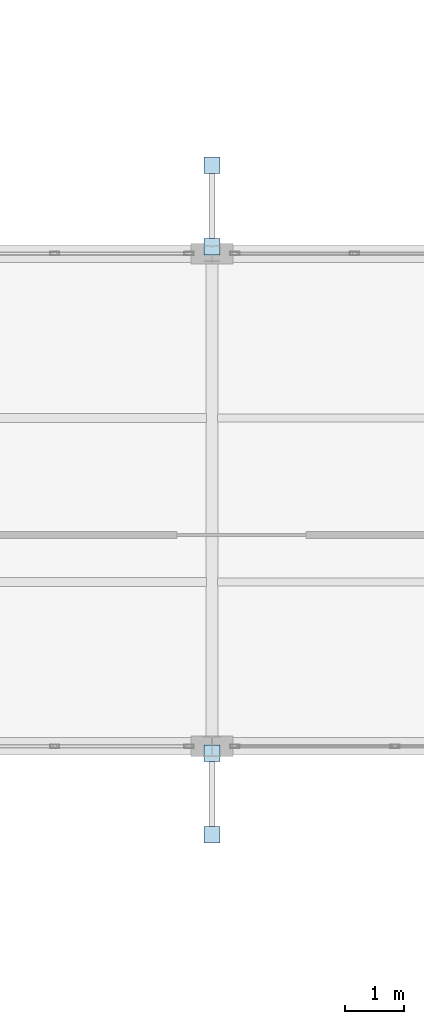
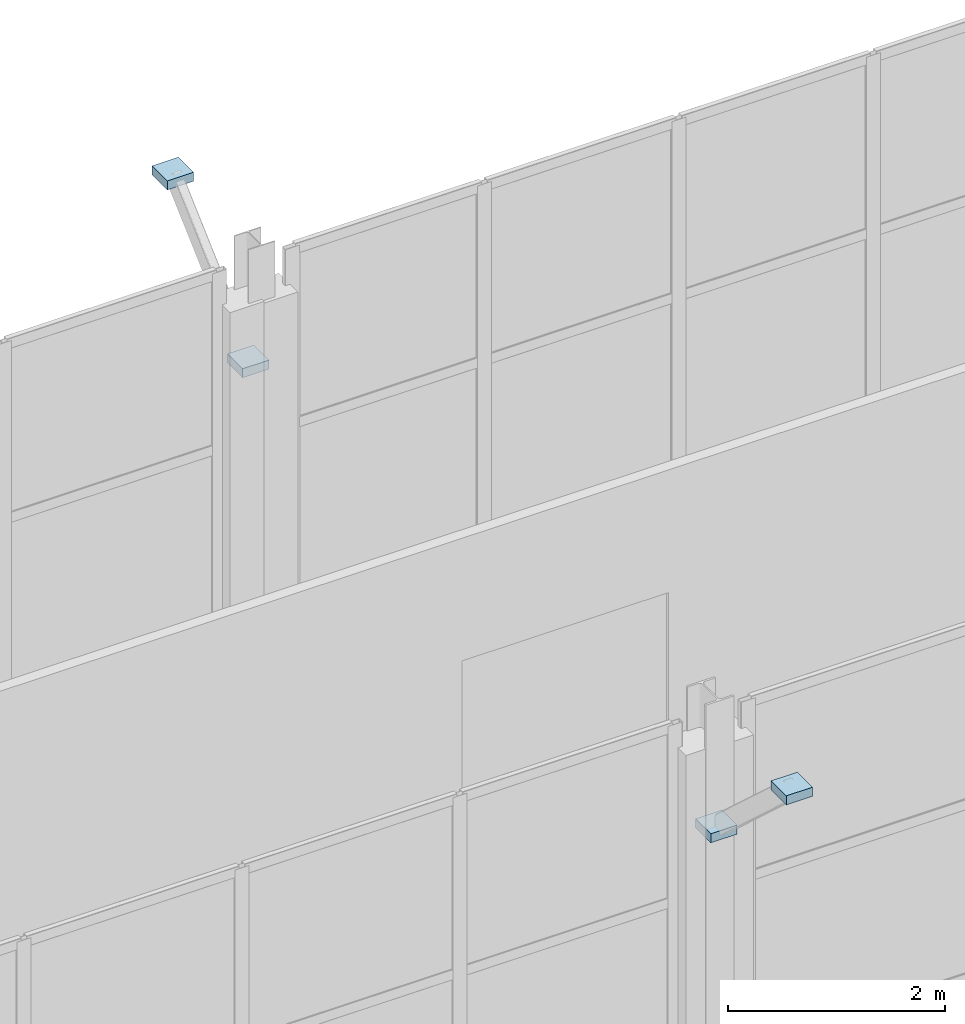
# One storey, part 77 of 101: 4 plates.
"""IFC4 building model written with IfcOpenShell, lengths in metres."""

from ifc_helpers import new_model, si_unit, direction, frame, origin, origin_2d, place, context, subcontext, project, spatial, rectangle, extrude, material, layer, layer_set, type_object, element, save


model = new_model("IFC4")

# Units and contexts
model_context = context("Model", 3, precision=1e-05, world=origin(), true_north=direction((0.0, 1.0)))
body_context = subcontext(model_context, "Body", "Model", "MODEL_VIEW")
ifc_project = project(units=[si_unit("LENGTHUNIT", "METRE"), si_unit("AREAUNIT", "SQUARE_METRE"), si_unit("VOLUMEUNIT", "CUBIC_METRE"), si_unit("PLANEANGLEUNIT", "RADIAN"), si_unit("MASSUNIT", "GRAM", prefix="KILO")], contexts=[model_context])

# Site, building, storey
site_placement = place(None, origin())
site = spatial("IfcSite", under=ifc_project, at=site_placement, CompositionType="ELEMENT")
building_placement = place(site_placement, origin())
building = spatial("IfcBuilding", under=site, at=building_placement, Name="Vekula Escarpment Museum", CompositionType="ELEMENT")
storey_placement = place(building_placement, frame((0.0, 0.0, 18.0)))
storey = spatial("IfcBuildingStorey", under=building, at=storey_placement, Name="L04", CompositionType="ELEMENT", Elevation=18.0)

# Plates
ifc_material = material(Name="Steel S355", Category="steel")
ifc_layer = layer(ifc_material, 0.01611328125)
ifc_layer_set = layer_set([ifc_layer], Name="Steel S355")
plate_type = type_object("IfcPlateType", Name="PL-CAP-16", PredefinedType="SHEET", material=ifc_layer_set)
for number, where, z_axis, x_axis, name in (
    (1, (146.0, 67.88525390625, 2.694091796875), (0.0, 0.0, 1.0), (1.0, 0.0, 0.0), "Hollow section end cap CP-16"),
    (2, (146.0, 66.49462890625, 3.9638671875), (0.0, 0.0, 1.0), (1.0, 0.0, 0.0), "Hollow section end cap CP-16"),
    (3, (146.0, 76.5146484375, 2.694091796875), (0.0, 0.0, 1.0), (1.0, 0.0, 0.0), "Hollow section end cap CP-16"),
    (4, (146.0, 77.9052734375, 3.9638671875), (0.0, 0.0, 1.0), (1.0, 0.0, 0.0), "Hollow section end cap CP-16"),
):
    element("IfcPlate", number, at=place(storey_placement, frame(where, z_axis=z_axis, x_axis=x_axis)), inside=storey, type_object=plate_type, Name=name, PredefinedType="SHEET", context=body_context, shape_type="SweptSolid", body=[
        extrude(rectangle(XDim=0.280029296875, YDim=0.280029296875, at=origin_2d()), origin(), (0.0, 0.0, 1.0), 0.10205078125),
    ])

save(model, "model.ifc")
